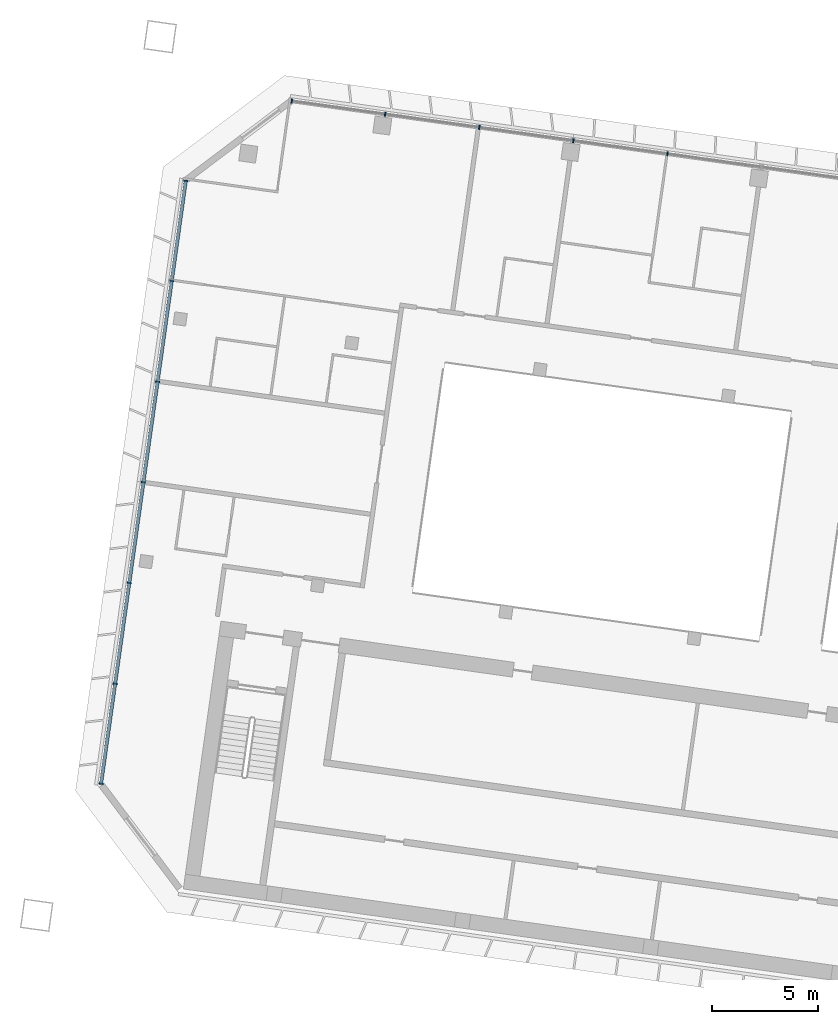
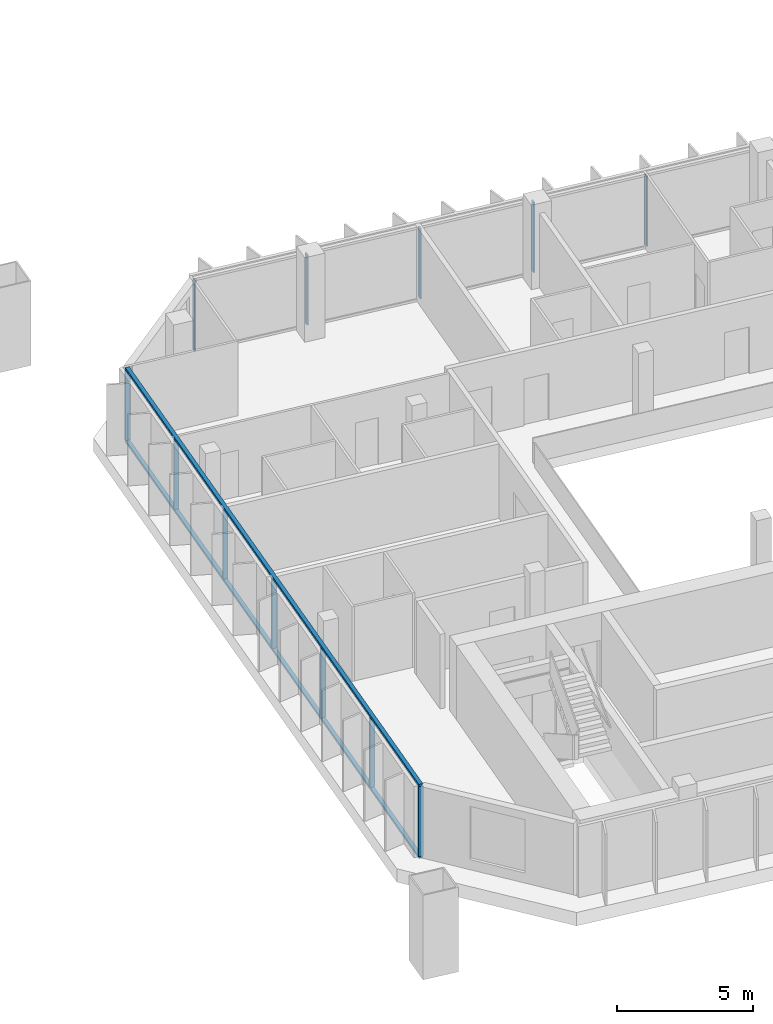
# One storey, part 2 of 26: 14 members, 2 elements without a shape of their own.
"""IFC4 building model written with IfcOpenShell, lengths in metres."""

from ifc_helpers import new_model, si_unit, direction, frame, origin, origin_2d, place, context, subcontext, project, spatial, rectangle, extrude, material, material_profile, profile_set, type_object, element, aggregate, save


model = new_model("IFC4")

# Units and contexts
model_context = context("Model", 3, precision=1e-05, world=origin(), true_north=direction((0.0, 1.0)))
body_context = subcontext(model_context, "Body", "Model", "MODEL_VIEW")
ifc_project = project(units=[si_unit("LENGTHUNIT", "METRE"), si_unit("AREAUNIT", "SQUARE_METRE"), si_unit("VOLUMEUNIT", "CUBIC_METRE"), si_unit("PLANEANGLEUNIT", "RADIAN"), si_unit("MASSUNIT", "GRAM", prefix="KILO")], contexts=[model_context])

# Site, building, storey
site_placement = place(None, origin())
site = spatial("IfcSite", under=ifc_project, at=site_placement, CompositionType="ELEMENT")
building_placement = place(site_placement, origin())
building = spatial("IfcBuilding", under=site, at=building_placement, Name="Mirante Cascada Hotel Towers", CompositionType="ELEMENT")
storey_placement = place(building_placement, frame((0.0, 0.0, 161.2)))
storey = spatial("IfcBuildingStorey", under=building, at=storey_placement, Name="L37", CompositionType="ELEMENT", Elevation=161.2)

# Curtain wall, members
ifc_material_1 = material(Name="Aluminium mullion and transom frame with clear laminated glass", Category="aluminium")
curtain_wall_type_1 = type_object("IfcCurtainWallType", Name="Ribbon curtain wall ECW1", PredefinedType="NOTDEFINED", material=ifc_material_1)
curtain_wall_1_placement = place(storey_placement, origin())
curtain_wall_1 = element("IfcCurtainWall", 1, at=curtain_wall_1_placement, inside=storey, type_object=curtain_wall_type_1, Name="Front ribbon wall T1 L37", PredefinedType="NOTDEFINED")
ifc_material_2 = material(Name="Anodised aluminium extrusion", Category="aluminium")
ifc_material_profile_1 = material_profile(ifc_material_2, rectangle(XDim=0.2, YDim=0.065, at=origin_2d()), Name="ECW1 MULLION 65x200")
ifc_profile_set_1 = profile_set([ifc_material_profile_1], Name="Anodised aluminium extrusion")
member_type_1 = type_object("IfcMemberType", Name="ECW1 mullion 65x200", PredefinedType="MULLION", material=ifc_profile_set_1)
member_1_placement = place(storey_placement, frame((-85.2136, 24.795, 0.1), z_axis=(0.0, 0.0, 1.0), x_axis=(0.1391731, 0.9902681, 0.0)))
member_1 = element("IfcMember", 2, at=member_1_placement, type_object=member_type_1, Name="ECW1 mullion 1", PredefinedType="MULLION", context=body_context, shape_type="SweptSolid", body=[
    extrude(rectangle(XDim=0.2, YDim=0.065, at=origin_2d()), origin(), (0.0, 0.0, 1.0), 3.15),
])
member_2_placement = place(storey_placement, frame((-80.7914, 24.1735, 0.1), z_axis=(0.0, 0.0, 1.0), x_axis=(0.1391731, 0.9902681, 0.0)))
member_2 = element("IfcMember", 3, at=member_2_placement, type_object=member_type_1, Name="ECW1 mullion 2", PredefinedType="MULLION", context=body_context, shape_type="SweptSolid", body=[
    extrude(rectangle(XDim=0.2, YDim=0.065, at=origin_2d()), origin(), (0.0, 0.0, 1.0), 3.15),
])
member_3_placement = place(storey_placement, frame((-76.337, 23.5475, 0.1), z_axis=(0.0, 0.0, 1.0), x_axis=(0.1391731, 0.9902681, 0.0)))
member_3 = element("IfcMember", 4, at=member_3_placement, type_object=member_type_1, Name="ECW1 mullion 3", PredefinedType="MULLION", context=body_context, shape_type="SweptSolid", body=[
    extrude(rectangle(XDim=0.2, YDim=0.065, at=origin_2d()), origin(), (0.0, 0.0, 1.0), 3.15),
])
member_4_placement = place(storey_placement, frame((-71.8826, 22.9215, 0.1), z_axis=(0.0, 0.0, 1.0), x_axis=(0.1391731, 0.9902681, 0.0)))
member_4 = element("IfcMember", 5, at=member_4_placement, type_object=member_type_1, Name="ECW1 mullion 4", PredefinedType="MULLION", context=body_context, shape_type="SweptSolid", body=[
    extrude(rectangle(XDim=0.2, YDim=0.065, at=origin_2d()), origin(), (0.0, 0.0, 1.0), 3.15),
])
member_5_placement = place(storey_placement, frame((-67.4282, 22.2954, 0.1), z_axis=(0.0, 0.0, 1.0), x_axis=(0.1391731, 0.9902681, 0.0)))
member_5 = element("IfcMember", 6, at=member_5_placement, type_object=member_type_1, Name="ECW1 mullion 5", PredefinedType="MULLION", context=body_context, shape_type="SweptSolid", body=[
    extrude(rectangle(XDim=0.2, YDim=0.065, at=origin_2d()), origin(), (0.0, 0.0, 1.0), 3.15),
])
aggregate(curtain_wall_1, [member_1, member_2, member_3, member_4, member_5])

ifc_material_3 = material(Name="Aluminium mullion and transom frame with clear laminated glass", Category="aluminium")
curtain_wall_type_2 = type_object("IfcCurtainWallType", Name="End ribbon curtain wall ECW2", PredefinedType="NOTDEFINED", material=ifc_material_3)
curtain_wall_2_placement = place(storey_placement, origin())
curtain_wall_2 = element("IfcCurtainWall", 7, at=curtain_wall_2_placement, inside=storey, type_object=curtain_wall_type_2, Name="Outer end wall T1 L37", PredefinedType="NOTDEFINED")
ifc_material_4 = material(Name="Anodised aluminium extrusion", Category="aluminium")
ifc_material_profile_2 = material_profile(ifc_material_4, rectangle(XDim=0.2, YDim=0.065, at=origin_2d()), Name="ECW2 MULLION 65x200")
ifc_profile_set_2 = profile_set([ifc_material_profile_2], Name="Anodised aluminium extrusion")
member_type_2 = type_object("IfcMemberType", Name="ECW2 mullion 65x200", PredefinedType="MULLION", material=ifc_profile_set_2)
member_6_placement = place(storey_placement, frame((-94.2432, -7.5181, 0.1), z_axis=(0.0, 0.0, 1.0), x_axis=(-0.9902681, 0.1391731, 0.0)))
member_6 = element("IfcMember", 8, at=member_6_placement, type_object=member_type_2, Name="ECW2 mullion 1", PredefinedType="MULLION", context=body_context, shape_type="SweptSolid", body=[
    extrude(rectangle(XDim=0.2, YDim=0.065, at=origin_2d()), origin(), (0.0, 0.0, 1.0), 3.15),
])
member_7_placement = place(storey_placement, frame((-93.5779, -2.7845, 0.1), z_axis=(0.0, 0.0, 1.0), x_axis=(-0.9902681, 0.1391731, 0.0)))
member_7 = element("IfcMember", 9, at=member_7_placement, type_object=member_type_2, Name="ECW2 mullion 2", PredefinedType="MULLION", context=body_context, shape_type="SweptSolid", body=[
    extrude(rectangle(XDim=0.2, YDim=0.065, at=origin_2d()), origin(), (0.0, 0.0, 1.0), 3.15),
])
member_8_placement = place(storey_placement, frame((-92.9081, 1.9812, 0.1), z_axis=(0.0, 0.0, 1.0), x_axis=(-0.9902681, 0.1391731, 0.0)))
member_8 = element("IfcMember", 10, at=member_8_placement, type_object=member_type_2, Name="ECW2 mullion 3", PredefinedType="MULLION", context=body_context, shape_type="SweptSolid", body=[
    extrude(rectangle(XDim=0.2, YDim=0.065, at=origin_2d()), origin(), (0.0, 0.0, 1.0), 3.15),
])
member_9_placement = place(storey_placement, frame((-92.2383, 6.747, 0.1), z_axis=(0.0, 0.0, 1.0), x_axis=(-0.9902681, 0.1391731, 0.0)))
member_9 = element("IfcMember", 11, at=member_9_placement, type_object=member_type_2, Name="ECW2 mullion 4", PredefinedType="MULLION", context=body_context, shape_type="SweptSolid", body=[
    extrude(rectangle(XDim=0.2, YDim=0.065, at=origin_2d()), origin(), (0.0, 0.0, 1.0), 3.15),
])
member_10_placement = place(storey_placement, frame((-91.5686, 11.5128, 0.1), z_axis=(0.0, 0.0, 1.0), x_axis=(-0.9902681, 0.1391731, 0.0)))
member_10 = element("IfcMember", 12, at=member_10_placement, type_object=member_type_2, Name="ECW2 mullion 5", PredefinedType="MULLION", context=body_context, shape_type="SweptSolid", body=[
    extrude(rectangle(XDim=0.2, YDim=0.065, at=origin_2d()), origin(), (0.0, 0.0, 1.0), 3.15),
])
member_11_placement = place(storey_placement, frame((-90.8988, 16.2786, 0.1), z_axis=(0.0, 0.0, 1.0), x_axis=(-0.9902681, 0.1391731, 0.0)))
member_11 = element("IfcMember", 13, at=member_11_placement, type_object=member_type_2, Name="ECW2 mullion 6", PredefinedType="MULLION", context=body_context, shape_type="SweptSolid", body=[
    extrude(rectangle(XDim=0.2, YDim=0.065, at=origin_2d()), origin(), (0.0, 0.0, 1.0), 3.15),
])
member_12_placement = place(storey_placement, frame((-90.2335, 21.0122, 0.1), z_axis=(0.0, 0.0, 1.0), x_axis=(-0.9902681, 0.1391731, 0.0)))
member_12 = element("IfcMember", 14, at=member_12_placement, type_object=member_type_2, Name="ECW2 mullion 7", PredefinedType="MULLION", context=body_context, shape_type="SweptSolid", body=[
    extrude(rectangle(XDim=0.2, YDim=0.065, at=origin_2d()), origin(), (0.0, 0.0, 1.0), 3.15),
])
ifc_material_5 = material(Name="Anodised aluminium extrusion", Category="aluminium")
ifc_material_profile_3 = material_profile(ifc_material_5, rectangle(XDim=0.16, YDim=0.1, at=origin_2d()), Name="ECW2 TRANSOM 100x160")
ifc_profile_set_3 = profile_set([ifc_material_profile_3], Name="Anodised aluminium extrusion")
member_type_3 = type_object("IfcMemberType", Name="ECW2 transom 100x160", PredefinedType="USERDEFINED", material=ifc_profile_set_3)
member_13_placement = place(storey_placement, frame((-94.2477, -7.5503, 0.05), z_axis=(0.1391723, 0.9902682, 0.0), x_axis=(-0.9902682, 0.1391723, 0.0)))
member_13 = element("IfcMember", 15, at=member_13_placement, type_object=member_type_3, Name="ECW2 sill transom", ObjectType="TRANSOM", PredefinedType="USERDEFINED", context=body_context, shape_type="SweptSolid", body=[
    extrude(rectangle(XDim=0.16, YDim=0.1, at=origin_2d()), origin(), (0.0, 0.0, 1.0), 28.8757),
])
member_14_placement = place(storey_placement, frame((-94.2477, -7.5503, 3.3), z_axis=(0.1391723, 0.9902682, 0.0), x_axis=(-0.9902682, 0.1391723, 0.0)))
member_14 = element("IfcMember", 16, at=member_14_placement, type_object=member_type_3, Name="ECW2 head transom", ObjectType="TRANSOM", PredefinedType="USERDEFINED", context=body_context, shape_type="SweptSolid", body=[
    extrude(rectangle(XDim=0.16, YDim=0.1, at=origin_2d()), origin(), (0.0, 0.0, 1.0), 28.8757),
])
aggregate(curtain_wall_2, [member_13, member_14, member_6, member_7, member_8, member_9, member_10, member_11, member_12])

save(model, "model.ifc")
